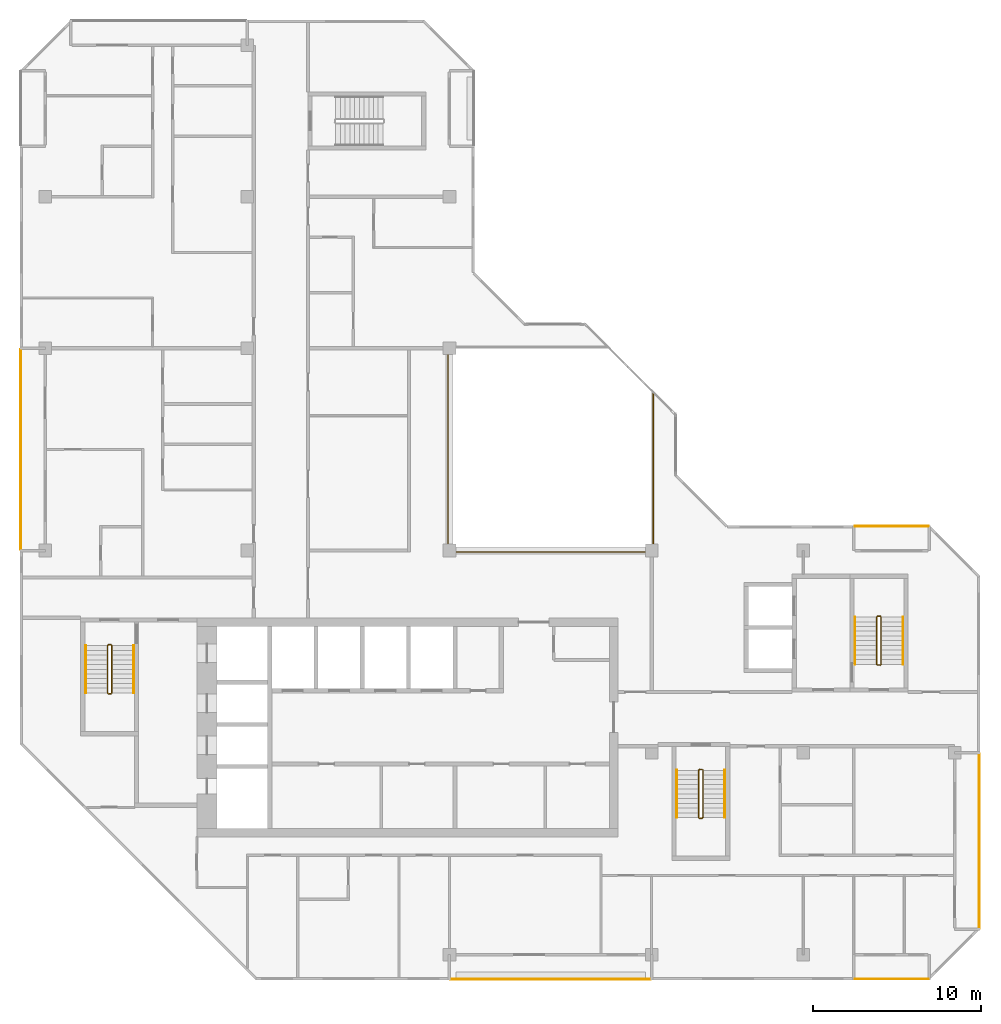
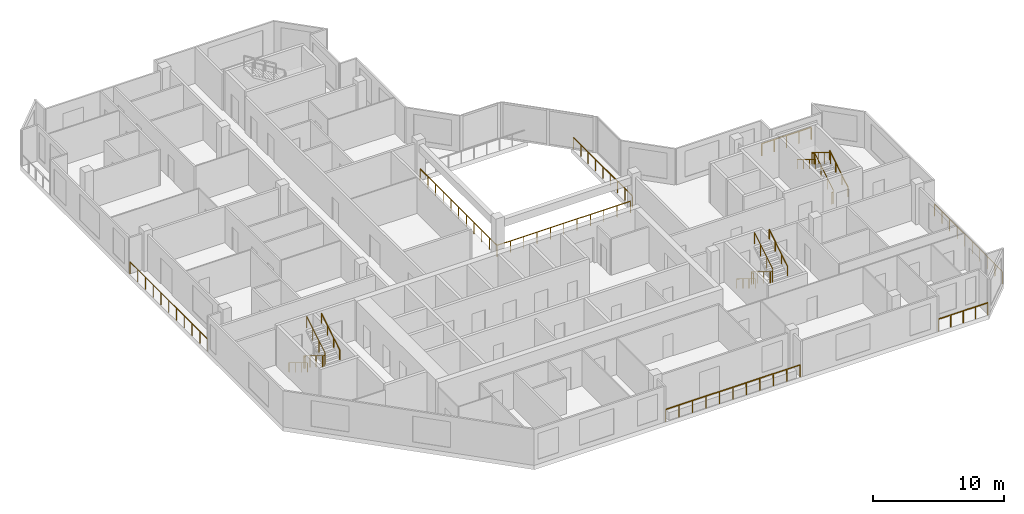
# One storey, part 11 of 12: 16 railings.
"""IFC4 building model written with IfcOpenShell, lengths in metres."""

from ifc_helpers import new_model, si_unit, direction, frame, origin, origin_2d, place, context, subcontext, project, spatial, rectangle, extrude, material, type_object, element, save


model = new_model("IFC4")

# Units and contexts
model_context = context("Model", 3, precision=1e-05, world=origin(), true_north=direction((0.0, 1.0)))
body_context = subcontext(model_context, "Body", "Model", "MODEL_VIEW")
ifc_project = project(units=[si_unit("LENGTHUNIT", "METRE"), si_unit("AREAUNIT", "SQUARE_METRE"), si_unit("VOLUMEUNIT", "CUBIC_METRE"), si_unit("PLANEANGLEUNIT", "RADIAN"), si_unit("MASSUNIT", "GRAM", prefix="KILO")], contexts=[model_context])

# Site, building, storey
site_placement = place(None, origin())
site = spatial("IfcSite", under=ifc_project, at=site_placement, CompositionType="ELEMENT")
building_placement = place(site_placement, origin())
building = spatial("IfcBuilding", under=site, at=building_placement, Name="Chenar Terraces", CompositionType="ELEMENT")
storey_placement = place(building_placement, frame((0.0, 0.0, 372.64990234375)))
storey = spatial("IfcBuildingStorey", under=building, at=storey_placement, Name="L87", CompositionType="ELEMENT", Elevation=372.64990234375)

# Railings
ifc_material_1 = material(Name="Powder-coated steel", Category="steel")
railing_type_1 = type_object("IfcRailingType", Name="Guard 1100 steel rail with glass infill", PredefinedType="GUARDRAIL", material=ifc_material_1)
railing_1_placement = place(storey_placement, frame((23.89990234375, 35.625, 0.0)))
element("IfcRailing", 1, at=railing_1_placement, inside=storey, type_object=railing_type_1, Name="Guard L87-1", PredefinedType="GUARDRAIL", context=body_context, shape_type="SweptSolid", body=[
    extrude(rectangle(XDim=0.06005859375, YDim=0.06005859375, at=origin_2d()), frame((0.0, 0.0, 1.070068359375), z_axis=(0.0, -1.0, 0.0), x_axis=(1.0, 0.0, 0.0)), (0.0, 0.0, 1.0), 11.72509765625),
    extrude(rectangle(XDim=0.06005859375, YDim=0.06005859375, at=origin_2d()), frame((0.0, -11.72509765625, 1.070068359375), z_axis=(1.0, 0.0, 0.0), x_axis=(0.0, 1.0, 0.0)), (0.0, 0.0, 1.0), 11.72509765625),
    extrude(rectangle(XDim=0.050048828125, YDim=0.050048828125, at=origin_2d()), origin(), (0.0, 0.0, 1.0), 1.0400390625),
    extrude(rectangle(XDim=0.050048828125, YDim=0.050048828125, at=origin_2d()), frame((0.0, -1.172607421875, 0.0)), (0.0, 0.0, 1.0), 1.0400390625),
    extrude(rectangle(XDim=0.050048828125, YDim=0.050048828125, at=origin_2d()), frame((0.0, -2.344970703125, 0.0)), (0.0, 0.0, 1.0), 1.0400390625),
    extrude(rectangle(XDim=0.050048828125, YDim=0.050048828125, at=origin_2d()), frame((0.0, -3.517578125, 0.0)), (0.0, 0.0, 1.0), 1.0400390625),
    extrude(rectangle(XDim=0.050048828125, YDim=0.050048828125, at=origin_2d()), frame((0.0, -4.68994140625, 0.0)), (0.0, 0.0, 1.0), 1.0400390625),
    extrude(rectangle(XDim=0.050048828125, YDim=0.050048828125, at=origin_2d()), frame((0.0, -5.862548828125, 0.0)), (0.0, 0.0, 1.0), 1.0400390625),
    extrude(rectangle(XDim=0.050048828125, YDim=0.050048828125, at=origin_2d()), frame((0.0, -7.03515625, 0.0)), (0.0, 0.0, 1.0), 1.0400390625),
    extrude(rectangle(XDim=0.050048828125, YDim=0.050048828125, at=origin_2d()), frame((0.0, -8.20751953125, 0.0)), (0.0, 0.0, 1.0), 1.0400390625),
    extrude(rectangle(XDim=0.050048828125, YDim=0.050048828125, at=origin_2d()), frame((0.0, -9.380126953125, 0.0)), (0.0, 0.0, 1.0), 1.0400390625),
    extrude(rectangle(XDim=0.050048828125, YDim=0.050048828125, at=origin_2d()), frame((0.0, -10.552490234375, 0.0)), (0.0, 0.0, 1.0), 1.0400390625),
    extrude(rectangle(XDim=0.050048828125, YDim=0.050048828125, at=origin_2d()), frame((0.0, -11.72509765625, 0.0)), (0.0, 0.0, 1.0), 1.0400390625),
    extrude(rectangle(XDim=0.050048828125, YDim=0.050048828125, at=origin_2d()), frame((1.172607421875, -11.72509765625, 0.0)), (0.0, 0.0, 1.0), 1.0400390625),
    extrude(rectangle(XDim=0.050048828125, YDim=0.050048828125, at=origin_2d()), frame((2.344970703125, -11.72509765625, 0.0)), (0.0, 0.0, 1.0), 1.0400390625),
    extrude(rectangle(XDim=0.050048828125, YDim=0.050048828125, at=origin_2d()), frame((3.517578125, -11.72509765625, 0.0)), (0.0, 0.0, 1.0), 1.0400390625),
    extrude(rectangle(XDim=0.050048828125, YDim=0.050048828125, at=origin_2d()), frame((4.68994140625, -11.72509765625, 0.0)), (0.0, 0.0, 1.0), 1.0400390625),
    extrude(rectangle(XDim=0.050048828125, YDim=0.050048828125, at=origin_2d()), frame((5.862548828125, -11.72509765625, 0.0)), (0.0, 0.0, 1.0), 1.0400390625),
    extrude(rectangle(XDim=0.050048828125, YDim=0.050048828125, at=origin_2d()), frame((7.03515625, -11.72509765625, 0.0)), (0.0, 0.0, 1.0), 1.0400390625),
    extrude(rectangle(XDim=0.050048828125, YDim=0.050048828125, at=origin_2d()), frame((8.20751953125, -11.72509765625, 0.0)), (0.0, 0.0, 1.0), 1.0400390625),
    extrude(rectangle(XDim=0.050048828125, YDim=0.050048828125, at=origin_2d()), frame((9.380126953125, -11.72509765625, 0.0)), (0.0, 0.0, 1.0), 1.0400390625),
    extrude(rectangle(XDim=0.050048828125, YDim=0.050048828125, at=origin_2d()), frame((10.552490234375, -11.72509765625, 0.0)), (0.0, 0.0, 1.0), 1.0400390625),
    extrude(rectangle(XDim=0.050048828125, YDim=0.050048828125, at=origin_2d()), frame((11.72509765625, -11.72509765625, 0.0)), (0.0, 0.0, 1.0), 1.0400390625),
])
railing_2_placement = place(storey_placement, frame((36.10009765625, 24.425048828125, 0.0)))
element("IfcRailing", 2, at=railing_2_placement, inside=storey, type_object=railing_type_1, Name="Guard L87-3", PredefinedType="GUARDRAIL", context=body_context, shape_type="SweptSolid", body=[
    extrude(rectangle(XDim=0.06005859375, YDim=0.06005859375, at=origin_2d()), frame((0.0, 0.0, 1.070068359375), z_axis=(0.0, 1.0, 0.0), x_axis=(-1.0, 0.0, 0.0)), (0.0, 0.0, 1.0), 8.974853515625),
    extrude(rectangle(XDim=0.050048828125, YDim=0.050048828125, at=origin_2d()), origin(), (0.0, 0.0, 1.0), 1.0400390625),
    extrude(rectangle(XDim=0.050048828125, YDim=0.050048828125, at=origin_2d()), frame((0.0, 1.121826171875, 0.0)), (0.0, 0.0, 1.0), 1.0400390625),
    extrude(rectangle(XDim=0.050048828125, YDim=0.050048828125, at=origin_2d()), frame((0.0, 2.24365234375, 0.0)), (0.0, 0.0, 1.0), 1.0400390625),
    extrude(rectangle(XDim=0.050048828125, YDim=0.050048828125, at=origin_2d()), frame((0.0, 3.365478515625, 0.0)), (0.0, 0.0, 1.0), 1.0400390625),
    extrude(rectangle(XDim=0.050048828125, YDim=0.050048828125, at=origin_2d()), frame((0.0, 4.4873046875, 0.0)), (0.0, 0.0, 1.0), 1.0400390625),
    extrude(rectangle(XDim=0.050048828125, YDim=0.050048828125, at=origin_2d()), frame((0.0, 5.609375, 0.0)), (0.0, 0.0, 1.0), 1.0400390625),
    extrude(rectangle(XDim=0.050048828125, YDim=0.050048828125, at=origin_2d()), frame((0.0, 6.731201171875, 0.0)), (0.0, 0.0, 1.0), 1.0400390625),
    extrude(rectangle(XDim=0.050048828125, YDim=0.050048828125, at=origin_2d()), frame((0.0, 7.85302734375, 0.0)), (0.0, 0.0, 1.0), 1.0400390625),
    extrude(rectangle(XDim=0.050048828125, YDim=0.050048828125, at=origin_2d()), frame((0.0, 8.974853515625, 0.0)), (0.0, 0.0, 1.0), 1.0400390625),
])
ifc_material_2 = material(Name="Stainless steel and glass", Category="steel")
railing_type_2 = type_object("IfcRailingType", Name="Loggia guard 1150", PredefinedType="GUARDRAIL", material=ifc_material_2)
railing_3_placement = place(storey_placement, frame((55.449951171875, 1.574951171875, 0.0)))
element("IfcRailing", 3, at=railing_3_placement, inside=storey, type_object=railing_type_2, Name="Loggia guard", PredefinedType="GUARDRAIL", context=body_context, shape_type="SweptSolid", body=[
    extrude(rectangle(XDim=0.048095703125, YDim=0.048095703125, at=origin_2d()), frame((0.0, 0.0, 1.1259765625), z_axis=(0.0, 1.0, 0.0), x_axis=(-1.0, 0.0, 0.0)), (0.0, 0.0, 1.0), 10.35009765625),
    extrude(rectangle(XDim=0.0419921875, YDim=0.0419921875, at=origin_2d()), origin(), (0.0, 0.0, 1.0), 1.101806640625),
    extrude(rectangle(XDim=0.0419921875, YDim=0.0419921875, at=origin_2d()), frame((0.0, 1.14990234375, 0.0)), (0.0, 0.0, 1.0), 1.101806640625),
    extrude(rectangle(XDim=0.0419921875, YDim=0.0419921875, at=origin_2d()), frame((0.0, 2.300048828125, 0.0)), (0.0, 0.0, 1.0), 1.101806640625),
    extrude(rectangle(XDim=0.0419921875, YDim=0.0419921875, at=origin_2d()), frame((0.0, 3.449951171875, 0.0)), (0.0, 0.0, 1.0), 1.101806640625),
    extrude(rectangle(XDim=0.0419921875, YDim=0.0419921875, at=origin_2d()), frame((0.0, 4.60009765625, 0.0)), (0.0, 0.0, 1.0), 1.101806640625),
    extrude(rectangle(XDim=0.0419921875, YDim=0.0419921875, at=origin_2d()), frame((0.0, 5.75, 0.0)), (0.0, 0.0, 1.0), 1.101806640625),
    extrude(rectangle(XDim=0.0419921875, YDim=0.0419921875, at=origin_2d()), frame((0.0, 6.900146484375, 0.0)), (0.0, 0.0, 1.0), 1.101806640625),
    extrude(rectangle(XDim=0.0419921875, YDim=0.0419921875, at=origin_2d()), frame((0.0, 8.050048828125, 0.0)), (0.0, 0.0, 1.0), 1.101806640625),
    extrude(rectangle(XDim=0.0419921875, YDim=0.0419921875, at=origin_2d()), frame((0.0, 9.2001953125, 0.0)), (0.0, 0.0, 1.0), 1.101806640625),
    extrude(rectangle(XDim=0.0419921875, YDim=0.0419921875, at=origin_2d()), frame((0.0, 10.35009765625, 0.0)), (0.0, 0.0, 1.0), 1.101806640625),
])
railing_4_placement = place(storey_placement, frame((52.425048828125, 25.449951171875, 0.0)))
element("IfcRailing", 4, at=railing_4_placement, inside=storey, type_object=railing_type_2, Name="Loggia guard", PredefinedType="GUARDRAIL", context=body_context, shape_type="SweptSolid", body=[
    extrude(rectangle(XDim=0.048095703125, YDim=0.048095703125, at=origin_2d()), frame((0.0, 0.0, 1.1259765625), z_axis=(-1.0, 0.0, 0.0), x_axis=(0.0, -1.0, 0.0)), (0.0, 0.0, 1.0), 4.35009765625),
    extrude(rectangle(XDim=0.0419921875, YDim=0.0419921875, at=origin_2d()), origin(), (0.0, 0.0, 1.0), 1.101806640625),
    extrude(rectangle(XDim=0.0419921875, YDim=0.0419921875, at=origin_2d()), frame((-1.08740234375, 0.0, 0.0)), (0.0, 0.0, 1.0), 1.101806640625),
    extrude(rectangle(XDim=0.0419921875, YDim=0.0419921875, at=origin_2d()), frame((-2.175048828125, 0.0, 0.0)), (0.0, 0.0, 1.0), 1.101806640625),
    extrude(rectangle(XDim=0.0419921875, YDim=0.0419921875, at=origin_2d()), frame((-3.2626953125, 0.0, 0.0)), (0.0, 0.0, 1.0), 1.101806640625),
    extrude(rectangle(XDim=0.0419921875, YDim=0.0419921875, at=origin_2d()), frame((-4.35009765625, 0.0, 0.0)), (0.0, 0.0, 1.0), 1.101806640625),
])
railing_5_placement = place(storey_placement, frame((24.074951171875, -1.449951171875, 0.0)))
element("IfcRailing", 5, at=railing_5_placement, inside=storey, type_object=railing_type_2, Name="Loggia guard", PredefinedType="GUARDRAIL", context=body_context, shape_type="SweptSolid", body=[
    extrude(rectangle(XDim=0.048095703125, YDim=0.048095703125, at=origin_2d()), frame((0.0, 0.0, 1.1259765625), z_axis=(1.0, 0.0, 0.0), x_axis=(0.0, 1.0, 0.0)), (0.0, 0.0, 1.0), 11.85009765625),
    extrude(rectangle(XDim=0.0419921875, YDim=0.0419921875, at=origin_2d()), origin(), (0.0, 0.0, 1.0), 1.101806640625),
    extrude(rectangle(XDim=0.0419921875, YDim=0.0419921875, at=origin_2d()), frame((1.18505859375, 0.0, 0.0)), (0.0, 0.0, 1.0), 1.101806640625),
    extrude(rectangle(XDim=0.0419921875, YDim=0.0419921875, at=origin_2d()), frame((2.3701171875, 0.0, 0.0)), (0.0, 0.0, 1.0), 1.101806640625),
    extrude(rectangle(XDim=0.0419921875, YDim=0.0419921875, at=origin_2d()), frame((3.554931640625, 0.0, 0.0)), (0.0, 0.0, 1.0), 1.101806640625),
    extrude(rectangle(XDim=0.0419921875, YDim=0.0419921875, at=origin_2d()), frame((4.739990234375, 0.0, 0.0)), (0.0, 0.0, 1.0), 1.101806640625),
    extrude(rectangle(XDim=0.0419921875, YDim=0.0419921875, at=origin_2d()), frame((5.925048828125, 0.0, 0.0)), (0.0, 0.0, 1.0), 1.101806640625),
    extrude(rectangle(XDim=0.0419921875, YDim=0.0419921875, at=origin_2d()), frame((7.110107421875, 0.0, 0.0)), (0.0, 0.0, 1.0), 1.101806640625),
    extrude(rectangle(XDim=0.0419921875, YDim=0.0419921875, at=origin_2d()), frame((8.295166015625, 0.0, 0.0)), (0.0, 0.0, 1.0), 1.101806640625),
    extrude(rectangle(XDim=0.0419921875, YDim=0.0419921875, at=origin_2d()), frame((9.47998046875, 0.0, 0.0)), (0.0, 0.0, 1.0), 1.101806640625),
    extrude(rectangle(XDim=0.0419921875, YDim=0.0419921875, at=origin_2d()), frame((10.6650390625, 0.0, 0.0)), (0.0, 0.0, 1.0), 1.101806640625),
    extrude(rectangle(XDim=0.0419921875, YDim=0.0419921875, at=origin_2d()), frame((11.85009765625, 0.0, 0.0)), (0.0, 0.0, 1.0), 1.101806640625),
])
railing_6_placement = place(storey_placement, frame((48.074951171875, -1.449951171875, 0.0)))
element("IfcRailing", 6, at=railing_6_placement, inside=storey, type_object=railing_type_2, Name="Loggia guard", PredefinedType="GUARDRAIL", context=body_context, shape_type="SweptSolid", body=[
    extrude(rectangle(XDim=0.048095703125, YDim=0.048095703125, at=origin_2d()), frame((0.0, 0.0, 1.1259765625), z_axis=(1.0, 0.0, 0.0), x_axis=(0.0, 1.0, 0.0)), (0.0, 0.0, 1.0), 4.35009765625),
    extrude(rectangle(XDim=0.0419921875, YDim=0.0419921875, at=origin_2d()), origin(), (0.0, 0.0, 1.0), 1.101806640625),
    extrude(rectangle(XDim=0.0419921875, YDim=0.0419921875, at=origin_2d()), frame((1.08740234375, 0.0, 0.0)), (0.0, 0.0, 1.0), 1.101806640625),
    extrude(rectangle(XDim=0.0419921875, YDim=0.0419921875, at=origin_2d()), frame((2.175048828125, 0.0, 0.0)), (0.0, 0.0, 1.0), 1.101806640625),
    extrude(rectangle(XDim=0.0419921875, YDim=0.0419921875, at=origin_2d()), frame((3.2626953125, 0.0, 0.0)), (0.0, 0.0, 1.0), 1.101806640625),
    extrude(rectangle(XDim=0.0419921875, YDim=0.0419921875, at=origin_2d()), frame((4.35009765625, 0.0, 0.0)), (0.0, 0.0, 1.0), 1.101806640625),
])
railing_7_placement = place(storey_placement, frame((-1.449951171875, 35.925048828125, 0.0)))
element("IfcRailing", 7, at=railing_7_placement, inside=storey, type_object=railing_type_2, Name="Loggia guard", PredefinedType="GUARDRAIL", context=body_context, shape_type="SweptSolid", body=[
    extrude(rectangle(XDim=0.048095703125, YDim=0.048095703125, at=origin_2d()), frame((0.0, 0.0, 1.1259765625), z_axis=(0.0, -1.0, 0.0), x_axis=(1.0, 0.0, 0.0)), (0.0, 0.0, 1.0), 11.85009765625),
    extrude(rectangle(XDim=0.0419921875, YDim=0.0419921875, at=origin_2d()), origin(), (0.0, 0.0, 1.0), 1.101806640625),
    extrude(rectangle(XDim=0.0419921875, YDim=0.0419921875, at=origin_2d()), frame((0.0, -1.18505859375, 0.0)), (0.0, 0.0, 1.0), 1.101806640625),
    extrude(rectangle(XDim=0.0419921875, YDim=0.0419921875, at=origin_2d()), frame((0.0, -2.3701171875, 0.0)), (0.0, 0.0, 1.0), 1.101806640625),
    extrude(rectangle(XDim=0.0419921875, YDim=0.0419921875, at=origin_2d()), frame((0.0, -3.554931640625, 0.0)), (0.0, 0.0, 1.0), 1.101806640625),
    extrude(rectangle(XDim=0.0419921875, YDim=0.0419921875, at=origin_2d()), frame((0.0, -4.739990234375, 0.0)), (0.0, 0.0, 1.0), 1.101806640625),
    extrude(rectangle(XDim=0.0419921875, YDim=0.0419921875, at=origin_2d()), frame((0.0, -5.925048828125, 0.0)), (0.0, 0.0, 1.0), 1.101806640625),
    extrude(rectangle(XDim=0.0419921875, YDim=0.0419921875, at=origin_2d()), frame((0.0, -7.110107421875, 0.0)), (0.0, 0.0, 1.0), 1.101806640625),
    extrude(rectangle(XDim=0.0419921875, YDim=0.0419921875, at=origin_2d()), frame((0.0, -8.295166015625, 0.0)), (0.0, 0.0, 1.0), 1.101806640625),
    extrude(rectangle(XDim=0.0419921875, YDim=0.0419921875, at=origin_2d()), frame((0.0, -9.47998046875, 0.0)), (0.0, 0.0, 1.0), 1.101806640625),
    extrude(rectangle(XDim=0.0419921875, YDim=0.0419921875, at=origin_2d()), frame((0.0, -10.6650390625, 0.0)), (0.0, 0.0, 1.0), 1.101806640625),
    extrude(rectangle(XDim=0.0419921875, YDim=0.0419921875, at=origin_2d()), frame((0.0, -11.85009765625, 0.0)), (0.0, 0.0, 1.0), 1.101806640625),
])
ifc_material_3 = material(Name="Powder-coated steel", Category="steel")
railing_type_3 = type_object("IfcRailingType", Name="Stair guard 1100", PredefinedType="GUARDRAIL", material=ifc_material_3)
railing_8_placement = place(storey_placement, frame((3.949951171875, 18.35009765625, 3.75)))
element("IfcRailing", 8, at=railing_8_placement, inside=storey, type_object=railing_type_3, Name="L87 ST1 stair guard 1", PredefinedType="GUARDRAIL", context=body_context, shape_type="SweptSolid", body=[
    extrude(rectangle(XDim=0.048095703125, YDim=0.048095703125, at=origin_2d()), frame((0.0, 0.0, 1.076171875), z_axis=(0.0, -0.854202870247, -0.519939858505), x_axis=(1.0, 0.0, 0.0)), (0.0, 0.0, 1.0), 3.278076171875),
    extrude(rectangle(XDim=0.048095703125, YDim=0.048095703125, at=origin_2d()), frame((0.0, -2.800048828125, -0.62841796875), z_axis=(-0.270899902878, -0.270899902878, -0.923702595667), x_axis=(0.707106781187, -0.707106781187, 0.0)), (0.0, 0.0, 1.0), 0.184814453125),
    extrude(rectangle(XDim=0.048095703125, YDim=0.048095703125, at=origin_2d()), frame((-0.050048828125, -2.85009765625, -0.798828125), z_axis=(-1.0, 0.0, 0.0), x_axis=(0.0, -1.0, 0.0)), (0.0, 0.0, 1.0), 0.14990234375),
    extrude(rectangle(XDim=0.048095703125, YDim=0.048095703125, at=origin_2d()), frame((-0.199951171875, -2.85009765625, -0.798828125), z_axis=(-0.707106781187, 0.707106781187, 0.0), x_axis=(-0.707106781187, -0.707106781187, 0.0)), (0.0, 0.0, 1.0), 0.07080078125),
    extrude(rectangle(XDim=0.048095703125, YDim=0.048095703125, at=origin_2d()), frame((-0.25, -2.800048828125, -0.798828125), z_axis=(0.0, 0.854202870247, -0.519939858505), x_axis=(-1.0, 0.0, 0.0)), (0.0, 0.0, 1.0), 3.278076171875),
    extrude(rectangle(XDim=0.048095703125, YDim=0.048095703125, at=origin_2d()), frame((-0.25, 0.0, -2.50341796875), z_axis=(0.270996696079, 0.269674760976, -0.924032636873), x_axis=(-0.705375805398, 0.708833529934, 0.0)), (0.0, 0.0, 1.0), 0.1845703125),
    extrude(rectangle(XDim=0.048095703125, YDim=0.048095703125, at=origin_2d()), frame((-0.199951171875, 0.0498046875, -2.673828125), z_axis=(1.0, 0.0, 0.0), x_axis=(0.0, 1.0, 0.0)), (0.0, 0.0, 1.0), 0.14990234375),
    extrude(rectangle(XDim=0.0419921875, YDim=0.0419921875, at=origin_2d()), origin(), (0.0, 0.0, 1.0), 1.052001953125),
    extrude(rectangle(XDim=0.0419921875, YDim=0.0419921875, at=origin_2d()), frame((0.0, -0.933349609375, -0.568115234375)), (0.0, 0.0, 1.0), 1.052001953125),
    extrude(rectangle(XDim=0.0419921875, YDim=0.0419921875, at=origin_2d()), frame((0.0, -1.86669921875, -1.13623046875)), (0.0, 0.0, 1.0), 1.052001953125),
    extrude(rectangle(XDim=0.0419921875, YDim=0.0419921875, at=origin_2d()), frame((0.0, -2.800048828125, -1.704345703125)), (0.0, 0.0, 1.0), 1.052001953125),
    extrude(rectangle(XDim=0.0419921875, YDim=0.0419921875, at=origin_2d()), frame((-0.050048828125, -2.85009765625, -1.875)), (0.0, 0.0, 1.0), 1.052001953125),
    extrude(rectangle(XDim=0.0419921875, YDim=0.0419921875, at=origin_2d()), frame((-0.199951171875, -2.85009765625, -1.875)), (0.0, 0.0, 1.0), 1.052001953125),
    extrude(rectangle(XDim=0.0419921875, YDim=0.0419921875, at=origin_2d()), frame((-0.25, -2.800048828125, -1.875)), (0.0, 0.0, 1.0), 1.052001953125),
    extrude(rectangle(XDim=0.0419921875, YDim=0.0419921875, at=origin_2d()), frame((-0.25, -1.86669921875, -2.443115234375)), (0.0, 0.0, 1.0), 1.052001953125),
    extrude(rectangle(XDim=0.0419921875, YDim=0.0419921875, at=origin_2d()), frame((-0.25, -0.933349609375, -3.01123046875)), (0.0, 0.0, 1.0), 1.052001953125),
    extrude(rectangle(XDim=0.0419921875, YDim=0.0419921875, at=origin_2d()), frame((-0.25, 0.0, -3.579345703125)), (0.0, 0.0, 1.0), 1.052001953125),
    extrude(rectangle(XDim=0.0419921875, YDim=0.0419921875, at=origin_2d()), frame((-0.199951171875, 0.0498046875, -3.75)), (0.0, 0.0, 1.0), 1.052001953125),
    extrude(rectangle(XDim=0.0419921875, YDim=0.0419921875, at=origin_2d()), frame((-0.050048828125, 0.0498046875, -3.75)), (0.0, 0.0, 1.0), 1.052001953125),
])
railing_9_placement = place(storey_placement, frame((39.050048828125, 10.949951171875, 3.75)))
element("IfcRailing", 9, at=railing_9_placement, inside=storey, type_object=railing_type_3, Name="L87 ST2 stair guard 1", PredefinedType="GUARDRAIL", context=body_context, shape_type="SweptSolid", body=[
    extrude(rectangle(XDim=0.048095703125, YDim=0.048095703125, at=origin_2d()), frame((0.0, 0.0, 1.076171875), z_axis=(0.0, -0.854202870247, -0.519939858505), x_axis=(1.0, 0.0, 0.0)), (0.0, 0.0, 1.0), 3.278076171875),
    extrude(rectangle(XDim=0.048095703125, YDim=0.048095703125, at=origin_2d()), frame((0.0, -2.800048828125, -0.62841796875), z_axis=(-0.270996696079, -0.269674760976, -0.924032636873), x_axis=(0.705375805398, -0.708833529934, 0.0)), (0.0, 0.0, 1.0), 0.1845703125),
    extrude(rectangle(XDim=0.048095703125, YDim=0.048095703125, at=origin_2d()), frame((-0.050048828125, -2.849853515625, -0.798828125), z_axis=(-1.0, 0.0, 0.0), x_axis=(0.0, -1.0, 0.0)), (0.0, 0.0, 1.0), 0.14990234375),
    extrude(rectangle(XDim=0.048095703125, YDim=0.048095703125, at=origin_2d()), frame((-0.199951171875, -2.849853515625, -0.798828125), z_axis=(-0.708833529934, 0.705375805398, 0.0), x_axis=(-0.705375805398, -0.708833529934, 0.0)), (0.0, 0.0, 1.0), 0.070556640625),
    extrude(rectangle(XDim=0.048095703125, YDim=0.048095703125, at=origin_2d()), frame((-0.25, -2.800048828125, -0.798828125), z_axis=(0.0, 0.854202870247, -0.519939858505), x_axis=(-1.0, 0.0, 0.0)), (0.0, 0.0, 1.0), 3.278076171875),
    extrude(rectangle(XDim=0.048095703125, YDim=0.048095703125, at=origin_2d()), frame((-0.25, 0.0, -2.50341796875), z_axis=(0.270899902878, 0.270899902878, -0.923702595667), x_axis=(-0.707106781187, 0.707106781187, 0.0)), (0.0, 0.0, 1.0), 0.184814453125),
    extrude(rectangle(XDim=0.048095703125, YDim=0.048095703125, at=origin_2d()), frame((-0.199951171875, 0.050048828125, -2.673828125), z_axis=(1.0, 0.0, 0.0), x_axis=(0.0, 1.0, 0.0)), (0.0, 0.0, 1.0), 0.14990234375),
    extrude(rectangle(XDim=0.0419921875, YDim=0.0419921875, at=origin_2d()), origin(), (0.0, 0.0, 1.0), 1.052001953125),
    extrude(rectangle(XDim=0.0419921875, YDim=0.0419921875, at=origin_2d()), frame((0.0, -0.933349609375, -0.568115234375)), (0.0, 0.0, 1.0), 1.052001953125),
    extrude(rectangle(XDim=0.0419921875, YDim=0.0419921875, at=origin_2d()), frame((0.0, -1.86669921875, -1.13623046875)), (0.0, 0.0, 1.0), 1.052001953125),
    extrude(rectangle(XDim=0.0419921875, YDim=0.0419921875, at=origin_2d()), frame((0.0, -2.800048828125, -1.704345703125)), (0.0, 0.0, 1.0), 1.052001953125),
    extrude(rectangle(XDim=0.0419921875, YDim=0.0419921875, at=origin_2d()), frame((-0.050048828125, -2.849853515625, -1.875)), (0.0, 0.0, 1.0), 1.052001953125),
    extrude(rectangle(XDim=0.0419921875, YDim=0.0419921875, at=origin_2d()), frame((-0.199951171875, -2.849853515625, -1.875)), (0.0, 0.0, 1.0), 1.052001953125),
    extrude(rectangle(XDim=0.0419921875, YDim=0.0419921875, at=origin_2d()), frame((-0.25, -2.800048828125, -1.875)), (0.0, 0.0, 1.0), 1.052001953125),
    extrude(rectangle(XDim=0.0419921875, YDim=0.0419921875, at=origin_2d()), frame((-0.25, -1.86669921875, -2.443115234375)), (0.0, 0.0, 1.0), 1.052001953125),
    extrude(rectangle(XDim=0.0419921875, YDim=0.0419921875, at=origin_2d()), frame((-0.25, -0.933349609375, -3.01123046875)), (0.0, 0.0, 1.0), 1.052001953125),
    extrude(rectangle(XDim=0.0419921875, YDim=0.0419921875, at=origin_2d()), frame((-0.25, 0.0, -3.579345703125)), (0.0, 0.0, 1.0), 1.052001953125),
    extrude(rectangle(XDim=0.0419921875, YDim=0.0419921875, at=origin_2d()), frame((-0.199951171875, 0.050048828125, -3.75)), (0.0, 0.0, 1.0), 1.052001953125),
    extrude(rectangle(XDim=0.0419921875, YDim=0.0419921875, at=origin_2d()), frame((-0.050048828125, 0.050048828125, -3.75)), (0.0, 0.0, 1.0), 1.052001953125),
])
railing_10_placement = place(storey_placement, frame((49.375, 17.25, 3.75)))
element("IfcRailing", 10, at=railing_10_placement, inside=storey, type_object=railing_type_3, Name="L87 ST3 stair guard 1", PredefinedType="GUARDRAIL", context=body_context, shape_type="SweptSolid", body=[
    extrude(rectangle(XDim=0.048095703125, YDim=0.048095703125, at=origin_2d()), frame((0.0, 0.0, 1.076171875), z_axis=(0.0, 0.854202870247, -0.519939858505), x_axis=(-1.0, 0.0, 0.0)), (0.0, 0.0, 1.0), 3.278076171875),
    extrude(rectangle(XDim=0.048095703125, YDim=0.048095703125, at=origin_2d()), frame((0.0, 2.800048828125, -0.62841796875), z_axis=(0.270899902878, 0.270899902878, -0.923702595667), x_axis=(-0.707106781187, 0.707106781187, 0.0)), (0.0, 0.0, 1.0), 0.184814453125),
    extrude(rectangle(XDim=0.048095703125, YDim=0.048095703125, at=origin_2d()), frame((0.050048828125, 2.85009765625, -0.798828125), z_axis=(1.0, 0.0, 0.0), x_axis=(0.0, 1.0, 0.0)), (0.0, 0.0, 1.0), 0.14990234375),
    extrude(rectangle(XDim=0.048095703125, YDim=0.048095703125, at=origin_2d()), frame((0.199951171875, 2.85009765625, -0.798828125), z_axis=(0.707106781187, -0.707106781187, 0.0), x_axis=(0.707106781187, 0.707106781187, 0.0)), (0.0, 0.0, 1.0), 0.07080078125),
    extrude(rectangle(XDim=0.048095703125, YDim=0.048095703125, at=origin_2d()), frame((0.25, 2.800048828125, -0.798828125), z_axis=(0.0, -0.854202870247, -0.519939858505), x_axis=(1.0, 0.0, 0.0)), (0.0, 0.0, 1.0), 3.278076171875),
    extrude(rectangle(XDim=0.048095703125, YDim=0.048095703125, at=origin_2d()), frame((0.25, 0.0, -2.50341796875), z_axis=(-0.270899902878, -0.270899902878, -0.923702595667), x_axis=(0.707106781187, -0.707106781187, 0.0)), (0.0, 0.0, 1.0), 0.184814453125),
    extrude(rectangle(XDim=0.048095703125, YDim=0.048095703125, at=origin_2d()), frame((0.199951171875, -0.050048828125, -2.673828125), z_axis=(-1.0, 0.0, 0.0), x_axis=(0.0, -1.0, 0.0)), (0.0, 0.0, 1.0), 0.14990234375),
    extrude(rectangle(XDim=0.0419921875, YDim=0.0419921875, at=origin_2d()), origin(), (0.0, 0.0, 1.0), 1.052001953125),
    extrude(rectangle(XDim=0.0419921875, YDim=0.0419921875, at=origin_2d()), frame((0.0, 0.933349609375, -0.568115234375)), (0.0, 0.0, 1.0), 1.052001953125),
    extrude(rectangle(XDim=0.0419921875, YDim=0.0419921875, at=origin_2d()), frame((0.0, 1.86669921875, -1.13623046875)), (0.0, 0.0, 1.0), 1.052001953125),
    extrude(rectangle(XDim=0.0419921875, YDim=0.0419921875, at=origin_2d()), frame((0.0, 2.800048828125, -1.704345703125)), (0.0, 0.0, 1.0), 1.052001953125),
    extrude(rectangle(XDim=0.0419921875, YDim=0.0419921875, at=origin_2d()), frame((0.050048828125, 2.85009765625, -1.875)), (0.0, 0.0, 1.0), 1.052001953125),
    extrude(rectangle(XDim=0.0419921875, YDim=0.0419921875, at=origin_2d()), frame((0.199951171875, 2.85009765625, -1.875)), (0.0, 0.0, 1.0), 1.052001953125),
    extrude(rectangle(XDim=0.0419921875, YDim=0.0419921875, at=origin_2d()), frame((0.25, 2.800048828125, -1.875)), (0.0, 0.0, 1.0), 1.052001953125),
    extrude(rectangle(XDim=0.0419921875, YDim=0.0419921875, at=origin_2d()), frame((0.25, 1.86669921875, -2.443115234375)), (0.0, 0.0, 1.0), 1.052001953125),
    extrude(rectangle(XDim=0.0419921875, YDim=0.0419921875, at=origin_2d()), frame((0.25, 0.933349609375, -3.01123046875)), (0.0, 0.0, 1.0), 1.052001953125),
    extrude(rectangle(XDim=0.0419921875, YDim=0.0419921875, at=origin_2d()), frame((0.25, 0.0, -3.579345703125)), (0.0, 0.0, 1.0), 1.052001953125),
    extrude(rectangle(XDim=0.0419921875, YDim=0.0419921875, at=origin_2d()), frame((0.199951171875, -0.050048828125, -3.75)), (0.0, 0.0, 1.0), 1.052001953125),
    extrude(rectangle(XDim=0.0419921875, YDim=0.0419921875, at=origin_2d()), frame((0.050048828125, -0.050048828125, -3.75)), (0.0, 0.0, 1.0), 1.052001953125),
])
ifc_material_4 = material(Name="Powder-coated steel", Category="steel")
railing_type_4 = type_object("IfcRailingType", Name="Stair handrail 900", PredefinedType="HANDRAIL", material=ifc_material_4)
railing_11_placement = place(storey_placement, frame((2.39990234375, 18.35009765625, 0.170654296875)))
element("IfcRailing", 11, at=railing_11_placement, inside=storey, type_object=railing_type_4, Name="L87 ST1 stair handrail 1", PredefinedType="HANDRAIL", context=body_context, shape_type="SweptSolid", body=[
    extrude(rectangle(XDim=0.048095703125, YDim=0.048095703125, at=origin_2d()), frame((0.0, 0.0, 0.8759765625), z_axis=(0.0, -0.854202870247, 0.519939858505), x_axis=(1.0, 0.0, 0.0)), (0.0, 0.0, 1.0), 3.278076171875),
    extrude(rectangle(XDim=0.0419921875, YDim=0.0419921875, at=origin_2d()), origin(), (0.0, 0.0, 1.0), 0.851806640625),
    extrude(rectangle(XDim=0.0419921875, YDim=0.0419921875, at=origin_2d()), frame((0.0, -0.933349609375, 0.568115234375)), (0.0, 0.0, 1.0), 0.851806640625),
    extrude(rectangle(XDim=0.0419921875, YDim=0.0419921875, at=origin_2d()), frame((0.0, -1.86669921875, 1.13623046875)), (0.0, 0.0, 1.0), 0.851806640625),
    extrude(rectangle(XDim=0.0419921875, YDim=0.0419921875, at=origin_2d()), frame((0.0, -2.800048828125, 1.704345703125)), (0.0, 0.0, 1.0), 0.851806640625),
])
railing_12_placement = place(storey_placement, frame((5.25, 15.550048828125, 2.045654296875)))
element("IfcRailing", 12, at=railing_12_placement, inside=storey, type_object=railing_type_4, Name="L87 ST1 stair handrail 2", PredefinedType="HANDRAIL", context=body_context, shape_type="SweptSolid", body=[
    extrude(rectangle(XDim=0.048095703125, YDim=0.048095703125, at=origin_2d()), frame((0.0, 0.0, 0.8759765625), z_axis=(0.0, 0.854202870247, 0.519939858505), x_axis=(-1.0, 0.0, 0.0)), (0.0, 0.0, 1.0), 3.278076171875),
    extrude(rectangle(XDim=0.0419921875, YDim=0.0419921875, at=origin_2d()), origin(), (0.0, 0.0, 1.0), 0.851806640625),
    extrude(rectangle(XDim=0.0419921875, YDim=0.0419921875, at=origin_2d()), frame((0.0, 0.933349609375, 0.568115234375)), (0.0, 0.0, 1.0), 0.851806640625),
    extrude(rectangle(XDim=0.0419921875, YDim=0.0419921875, at=origin_2d()), frame((0.0, 1.86669921875, 1.13623046875)), (0.0, 0.0, 1.0), 0.851806640625),
    extrude(rectangle(XDim=0.0419921875, YDim=0.0419921875, at=origin_2d()), frame((0.0, 2.800048828125, 1.704345703125)), (0.0, 0.0, 1.0), 0.851806640625),
])
railing_13_placement = place(storey_placement, frame((37.5, 10.949951171875, 0.170654296875)))
element("IfcRailing", 13, at=railing_13_placement, inside=storey, type_object=railing_type_4, Name="L87 ST2 stair handrail 1", PredefinedType="HANDRAIL", context=body_context, shape_type="SweptSolid", body=[
    extrude(rectangle(XDim=0.048095703125, YDim=0.048095703125, at=origin_2d()), frame((0.0, 0.0, 0.8759765625), z_axis=(0.0, -0.854202870247, 0.519939858505), x_axis=(1.0, 0.0, 0.0)), (0.0, 0.0, 1.0), 3.278076171875),
    extrude(rectangle(XDim=0.0419921875, YDim=0.0419921875, at=origin_2d()), origin(), (0.0, 0.0, 1.0), 0.851806640625),
    extrude(rectangle(XDim=0.0419921875, YDim=0.0419921875, at=origin_2d()), frame((0.0, -0.933349609375, 0.568115234375)), (0.0, 0.0, 1.0), 0.851806640625),
    extrude(rectangle(XDim=0.0419921875, YDim=0.0419921875, at=origin_2d()), frame((0.0, -1.86669921875, 1.13623046875)), (0.0, 0.0, 1.0), 0.851806640625),
    extrude(rectangle(XDim=0.0419921875, YDim=0.0419921875, at=origin_2d()), frame((0.0, -2.800048828125, 1.704345703125)), (0.0, 0.0, 1.0), 0.851806640625),
])
for number, where, name in (
    (14, (40.35009765625, 8.14990234375, 2.045654296875), "L87 ST2 stair handrail 2"),
    (15, (50.925048828125, 17.25, 0.170654296875), "L87 ST3 stair handrail 1"),
):
    element("IfcRailing", number, at=place(storey_placement, frame(where)), inside=storey, type_object=railing_type_4, Name=name, PredefinedType="HANDRAIL", context=body_context, shape_type="SweptSolid", body=[
        extrude(rectangle(XDim=0.048095703125, YDim=0.048095703125, at=origin_2d()), frame((0.0, 0.0, 0.8759765625), z_axis=(0.0, 0.854202870247, 0.519939858505), x_axis=(-1.0, 0.0, 0.0)), (0.0, 0.0, 1.0), 3.278076171875),
        extrude(rectangle(XDim=0.0419921875, YDim=0.0419921875, at=origin_2d()), origin(), (0.0, 0.0, 1.0), 0.851806640625),
        extrude(rectangle(XDim=0.0419921875, YDim=0.0419921875, at=origin_2d()), frame((0.0, 0.933349609375, 0.568115234375)), (0.0, 0.0, 1.0), 0.851806640625),
        extrude(rectangle(XDim=0.0419921875, YDim=0.0419921875, at=origin_2d()), frame((0.0, 1.86669921875, 1.13623046875)), (0.0, 0.0, 1.0), 0.851806640625),
        extrude(rectangle(XDim=0.0419921875, YDim=0.0419921875, at=origin_2d()), frame((0.0, 2.800048828125, 1.704345703125)), (0.0, 0.0, 1.0), 0.851806640625),
    ])
railing_14_placement = place(storey_placement, frame((48.074951171875, 20.050048828125, 2.045654296875)))
element("IfcRailing", 16, at=railing_14_placement, inside=storey, type_object=railing_type_4, Name="L87 ST3 stair handrail 2", PredefinedType="HANDRAIL", context=body_context, shape_type="SweptSolid", body=[
    extrude(rectangle(XDim=0.048095703125, YDim=0.048095703125, at=origin_2d()), frame((0.0, 0.0, 0.8759765625), z_axis=(0.0, -0.854202870247, 0.519939858505), x_axis=(1.0, 0.0, 0.0)), (0.0, 0.0, 1.0), 3.278076171875),
    extrude(rectangle(XDim=0.0419921875, YDim=0.0419921875, at=origin_2d()), origin(), (0.0, 0.0, 1.0), 0.851806640625),
    extrude(rectangle(XDim=0.0419921875, YDim=0.0419921875, at=origin_2d()), frame((0.0, -0.933349609375, 0.568115234375)), (0.0, 0.0, 1.0), 0.851806640625),
    extrude(rectangle(XDim=0.0419921875, YDim=0.0419921875, at=origin_2d()), frame((0.0, -1.86669921875, 1.13623046875)), (0.0, 0.0, 1.0), 0.851806640625),
    extrude(rectangle(XDim=0.0419921875, YDim=0.0419921875, at=origin_2d()), frame((0.0, -2.800048828125, 1.704345703125)), (0.0, 0.0, 1.0), 0.851806640625),
])

save(model, "model.ifc")
